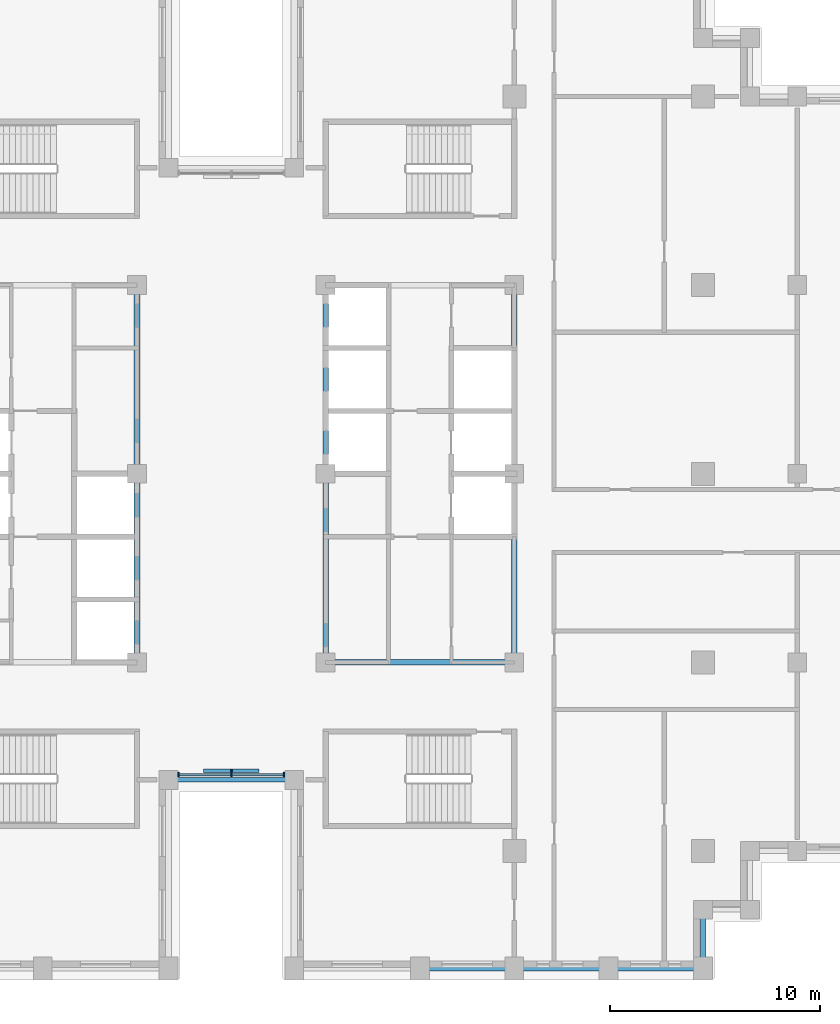
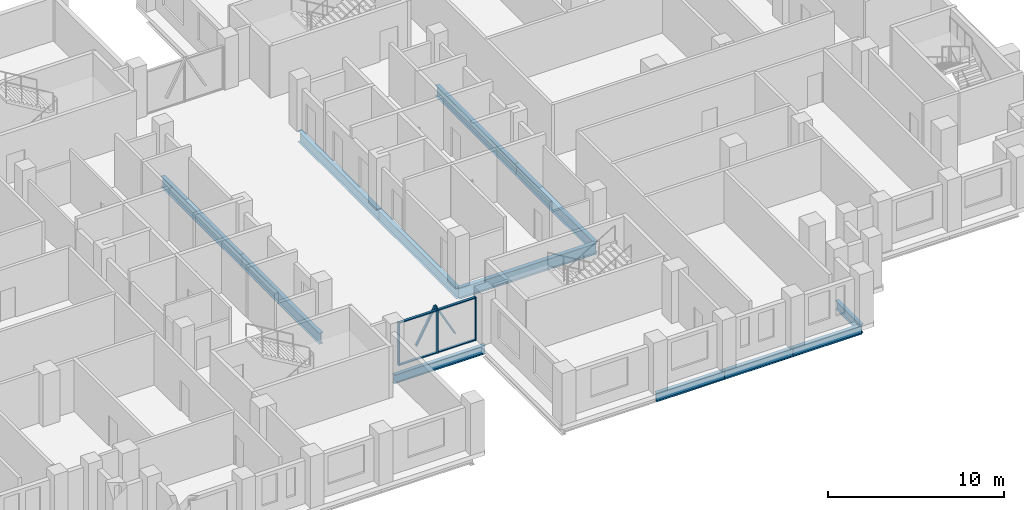
# One storey, part 2 of 16: 12 beams, 9 members, 1 element without a shape of its own.
"""IFC4 building model written with IfcOpenShell, lengths in metres."""

from ifc_helpers import new_model, si_unit, direction, frame, origin, origin_2d, place, context, subcontext, project, spatial, rectangle, i_section, extrude, material, layer, layer_set, material_profile, profile_set, type_object, element, aggregate, save


model = new_model("IFC4")

# Units and contexts
model_context = context("Model", 3, precision=1e-05, world=origin(), true_north=direction((0.0, 1.0)))
body_context = subcontext(model_context, "Body", "Model", "MODEL_VIEW")
ifc_project = project(units=[si_unit("LENGTHUNIT", "METRE"), si_unit("AREAUNIT", "SQUARE_METRE"), si_unit("VOLUMEUNIT", "CUBIC_METRE"), si_unit("PLANEANGLEUNIT", "RADIAN"), si_unit("MASSUNIT", "GRAM", prefix="KILO")], contexts=[model_context])

# Site, building, storey
site_placement = place(None, origin())
site = spatial("IfcSite", under=ifc_project, at=site_placement, CompositionType="ELEMENT")
building_placement = place(site_placement, origin())
building = spatial("IfcBuilding", under=site, at=building_placement, Name="Corbelhall Arena Tower", CompositionType="ELEMENT")
storey_placement = place(building_placement, frame((0.0, 0.0, 174.0)))
storey = spatial("IfcBuildingStorey", under=building, at=storey_placement, Name="L35", CompositionType="ELEMENT", Elevation=174.0)

# Curtain wall, members
ifc_material_1 = material(Name="Aluminium black anodised", Category="aluminium")
ifc_layer = layer(ifc_material_1, 0.199951171875)
ifc_layer_set = layer_set([ifc_layer], Name="EV-CW1 Slot back wall")
curtain_wall_type = type_object("IfcCurtainWallType", Name="EV-CW1 Slot back wall", PredefinedType="NOTDEFINED", material=ifc_layer_set)
curtain_wall_placement = place(storey_placement, origin())
curtain_wall = element("IfcCurtainWall", 1, at=curtain_wall_placement, inside=storey, type_object=curtain_wall_type, Name="Curtain wall CW1", PredefinedType="NOTDEFINED")
ifc_material_profile_1 = material_profile(ifc_material_1, rectangle(XDim=0.199951171875, YDim=0.074951171875, at=origin_2d()))
ifc_profile_set_1 = profile_set([ifc_material_profile_1], Name="Aluminium black anodised")
member_type_1 = type_object("IfcMemberType", Name="EV-CW1-MULLION", PredefinedType="MULLION", material=ifc_profile_set_1)
member_1_placement = place(storey_placement, frame((-2.512451171875, -14.35009765625, 0.0), z_axis=(0.0, 0.0, 1.0), x_axis=(0.0, 1.0, 0.0)))
member_1 = element("IfcMember", 2, at=member_1_placement, type_object=member_type_1, Name="CW1 mullion 1", PredefinedType="MULLION", context=body_context, shape_type="SweptSolid", body=[
    extrude(rectangle(XDim=0.199951171875, YDim=0.074951171875, at=origin_2d()), origin(), (0.0, 0.0, 1.0), 2.989990234375),
])
member_2_placement = place(storey_placement, frame((0.0, -14.35009765625, 0.0), z_axis=(0.0, 0.0, 1.0), x_axis=(0.0, 1.0, 0.0)))
member_2 = element("IfcMember", 3, at=member_2_placement, type_object=member_type_1, Name="CW1 mullion 2", PredefinedType="MULLION", context=body_context, shape_type="SweptSolid", body=[
    extrude(rectangle(XDim=0.199951171875, YDim=0.074951171875, at=origin_2d()), origin(), (0.0, 0.0, 1.0), 2.989990234375),
])
member_3_placement = place(storey_placement, frame((2.512451171875, -14.35009765625, 0.0), z_axis=(0.0, 0.0, 1.0), x_axis=(0.0, 1.0, 0.0)))
member_3 = element("IfcMember", 4, at=member_3_placement, type_object=member_type_1, Name="CW1 mullion 3", PredefinedType="MULLION", context=body_context, shape_type="SweptSolid", body=[
    extrude(rectangle(XDim=0.199951171875, YDim=0.074951171875, at=origin_2d()), origin(), (0.0, 0.0, 1.0), 2.989990234375),
])
ifc_material_profile_2 = material_profile(ifc_material_1, rectangle(XDim=0.14990234375, YDim=0.074951171875, at=origin_2d()))
ifc_profile_set_2 = profile_set([ifc_material_profile_2], Name="Aluminium black anodised")
member_type_2 = type_object("IfcMemberType", Name="EV-CW1-TRANSOM", PredefinedType="USERDEFINED", material=ifc_profile_set_2)
member_4_placement = place(storey_placement, frame((-2.47509765625, -14.35009765625, 0.03759765625), z_axis=(1.0, 0.0, 0.0), x_axis=(0.0, 1.0, 0.0)))
member_4 = element("IfcMember", 5, at=member_4_placement, type_object=member_type_2, Name="CW1 transom 1.1", ObjectType="transom", PredefinedType="USERDEFINED", context=body_context, shape_type="SweptSolid", body=[
    extrude(rectangle(XDim=0.14990234375, YDim=0.074951171875, at=origin_2d()), origin(), (0.0, 0.0, 1.0), 2.4375),
])
member_5_placement = place(storey_placement, frame((-2.47509765625, -14.35009765625, 2.952392578125), z_axis=(1.0, 0.0, 0.0), x_axis=(0.0, 1.0, 0.0)))
member_5 = element("IfcMember", 6, at=member_5_placement, type_object=member_type_2, Name="CW1 transom 1.2", ObjectType="transom", PredefinedType="USERDEFINED", context=body_context, shape_type="SweptSolid", body=[
    extrude(rectangle(XDim=0.14990234375, YDim=0.074951171875, at=origin_2d()), origin(), (0.0, 0.0, 1.0), 2.4375),
])
member_6_placement = place(storey_placement, frame((0.03759765625, -14.35009765625, 0.03759765625), z_axis=(1.0, 0.0, 0.0), x_axis=(0.0, 1.0, 0.0)))
member_6 = element("IfcMember", 7, at=member_6_placement, type_object=member_type_2, Name="CW1 transom 2.1", ObjectType="transom", PredefinedType="USERDEFINED", context=body_context, shape_type="SweptSolid", body=[
    extrude(rectangle(XDim=0.14990234375, YDim=0.074951171875, at=origin_2d()), origin(), (0.0, 0.0, 1.0), 2.4375),
])
member_7_placement = place(storey_placement, frame((0.03759765625, -14.35009765625, 2.952392578125), z_axis=(1.0, 0.0, 0.0), x_axis=(0.0, 1.0, 0.0)))
member_7 = element("IfcMember", 8, at=member_7_placement, type_object=member_type_2, Name="CW1 transom 2.2", ObjectType="transom", PredefinedType="USERDEFINED", context=body_context, shape_type="SweptSolid", body=[
    extrude(rectangle(XDim=0.14990234375, YDim=0.074951171875, at=origin_2d()), origin(), (0.0, 0.0, 1.0), 2.4375),
])
aggregate(curtain_wall, [member_1, member_2, member_3, member_4, member_5, member_6, member_7])

# Members
ifc_material_profile_3 = material_profile(ifc_material_1, rectangle(XDim=0.159912109375, YDim=0.10009765625, at=origin_2d()))
ifc_profile_set_3 = profile_set([ifc_material_profile_3], Name="Aluminium black anodised")
member_type_3 = type_object("IfcMemberType", Name="EV-TR1 Tracery bar", PredefinedType="USERDEFINED", material=ifc_profile_set_3)
for number, where, z_axis, x_axis, name in (
    (9, (-1.27490234375, -14.169921875, 0.807373046875), (0.478030960994, 0.0, 0.878342985588), (0.0, 1.0, 0.0), "Tracery bar"),
    (10, (0.0, -14.169921875, 3.14990234375), (0.478030960994, 0.0, -0.878342985588), (0.0, 1.0, 0.0), "Tracery bar"),
):
    element("IfcMember", number, at=place(storey_placement, frame(where, z_axis=z_axis, x_axis=x_axis)), inside=storey, type_object=member_type_3, Name=name, ObjectType="TRACERY", PredefinedType="USERDEFINED", context=body_context, shape_type="SweptSolid", body=[
        extrude(rectangle(XDim=0.159912109375, YDim=0.10009765625, at=origin_2d()), origin(), (0.0, 0.0, 1.0), 2.6669921875),
    ])

# Beams
ifc_material_2 = material(Name="Steel ASTM A992 Gr50", Category="steel")
ifc_material_profile_4 = material_profile(ifc_material_2, i_section(OverallWidth=0.2666015625, OverallDepth=0.761962890625, WebThickness=0.014404296875, FlangeThickness=0.021484375, at=origin_2d()))
ifc_profile_set_4 = profile_set([ifc_material_profile_4], Name="Steel ASTM A992 Gr50")
beam_type_1 = type_object("IfcBeamType", Name="ST-BEAM-W30x116", PredefinedType="BEAM", material=ifc_profile_set_4)
for number, where, z_axis, x_axis, name in (
    (11, (-4.5, -9.0, -0.680908203125), (0.0, 1.0, 0.0), (-1.0, 0.0, 0.0), "Beam CEW 3"),
    (12, (-4.5, 0.0, -0.680908203125), (0.0, 1.0, 0.0), (-1.0, 0.0, 0.0), "Beam CEW 4"),
    (13, (4.5, -9.0, -0.680908203125), (0.0, 1.0, 0.0), (-1.0, 0.0, 0.0), "Beam CEE 7"),
    (14, (4.5, 0.0, -0.680908203125), (0.0, 1.0, 0.0), (-1.0, 0.0, 0.0), "Beam CEE 8"),
    (15, (13.5, -9.0, -0.680908203125), (0.0, 1.0, 0.0), (-1.0, 0.0, 0.0), "Beam CEE 9"),
    (16, (13.5, 0.0, -0.680908203125), (0.0, 1.0, 0.0), (-1.0, 0.0, 0.0), "Beam CEE 10"),
    (17, (4.5, -9.0, -0.680908203125), (1.0, 0.0, 0.0), (0.0, 1.0, 0.0), "Beam CEE 11"),
):
    element("IfcBeam", number, at=place(storey_placement, frame(where, z_axis=z_axis, x_axis=x_axis)), inside=storey, type_object=beam_type_1, Name=name, PredefinedType="BEAM", context=body_context, shape_type="SweptSolid", body=[
        extrude(i_section(OverallWidth=0.2666015625, OverallDepth=0.761962890625, WebThickness=0.014404296875, FlangeThickness=0.021484375, at=origin_2d()), origin(), (0.0, 0.0, 1.0), 9.0),
    ])
ifc_material_profile_5 = material_profile(ifc_material_2, i_section(OverallWidth=0.22900390625, OverallDepth=0.612060546875, WebThickness=0.011962890625, FlangeThickness=0.01953125, at=origin_2d()))
ifc_profile_set_5 = profile_set([ifc_material_profile_5], Name="Steel ASTM A992 Gr50")
beam_type_2 = type_object("IfcBeamType", Name="ST-SPANDREL-W24x84", PredefinedType="SPANDREL", material=ifc_profile_set_5)
for number, where, z_axis, x_axis, name in (
    (18, (13.5, -23.60009765625, -0.60595703125), (-1.0, 0.0, 0.0), (0.0, -1.0, 0.0), "Beam SP 29"),
    (19, (18.0, -23.60009765625, -0.60595703125), (-1.0, 0.0, 0.0), (0.0, -1.0, 0.0), "Beam SP 30"),
    (20, (22.5, -23.60009765625, -0.60595703125), (-1.0, 0.0, 0.0), (0.0, -1.0, 0.0), "Beam SP 31"),
):
    element("IfcBeam", number, at=place(storey_placement, frame(where, z_axis=z_axis, x_axis=x_axis)), inside=storey, type_object=beam_type_2, Name=name, PredefinedType="SPANDREL", context=body_context, shape_type="SweptSolid", body=[
        extrude(i_section(OverallWidth=0.22900390625, OverallDepth=0.612060546875, WebThickness=0.011962890625, FlangeThickness=0.01953125, at=origin_2d()), origin(), (0.0, 0.0, 1.0), 4.5),
    ])
beam_1_placement = place(storey_placement, frame((3.0, -14.60009765625, -0.60595703125), z_axis=(-1.0, 0.0, 0.0), x_axis=(0.0, -1.0, 0.0)))
element("IfcBeam", 21, at=beam_1_placement, inside=storey, type_object=beam_type_2, Name="Beam SP 41", PredefinedType="SPANDREL", context=body_context, shape_type="SweptSolid", body=[
    extrude(i_section(OverallWidth=0.22900390625, OverallDepth=0.612060546875, WebThickness=0.011962890625, FlangeThickness=0.01953125, at=origin_2d()), origin(), (0.0, 0.0, 1.0), 6.0),
])
beam_2_placement = place(storey_placement, frame((22.5, -20.800048828125, -0.60595703125), z_axis=(0.0, -1.0, 0.0), x_axis=(1.0, 0.0, 0.0)))
element("IfcBeam", 22, at=beam_2_placement, inside=storey, type_object=beam_type_2, Name="Beam SP 49", PredefinedType="SPANDREL", context=body_context, shape_type="SweptSolid", body=[
    extrude(i_section(OverallWidth=0.22900390625, OverallDepth=0.612060546875, WebThickness=0.011962890625, FlangeThickness=0.01953125, at=origin_2d()), origin(), (0.0, 0.0, 1.0), 2.800048828125),
])

save(model, "model.ifc")
